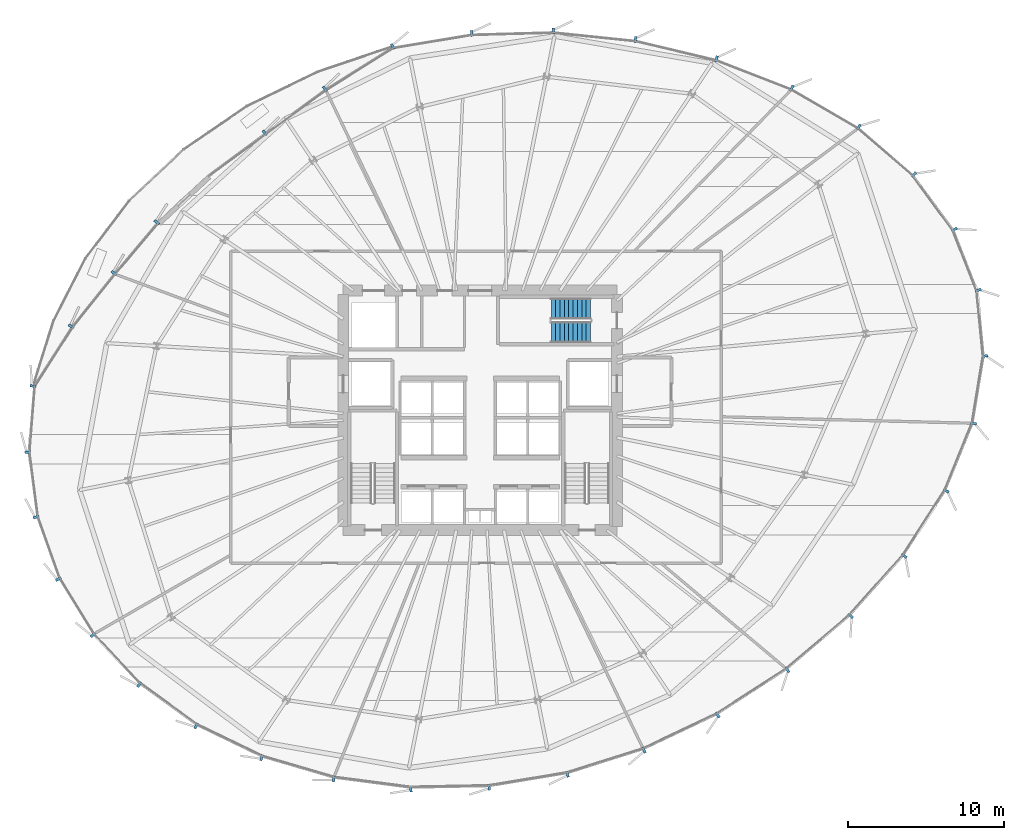
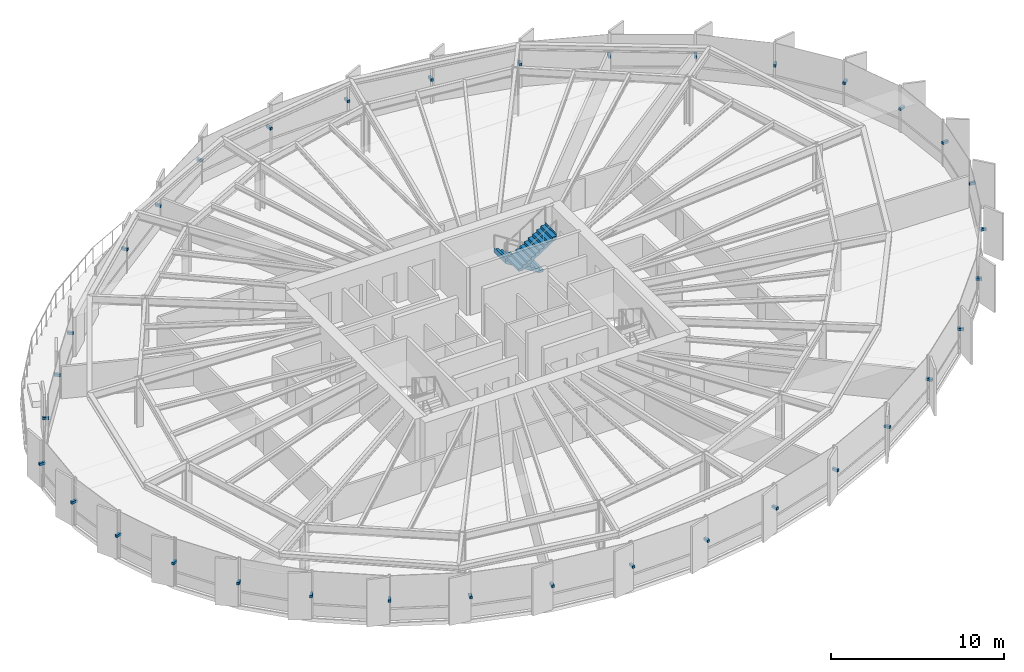
# One storey, part 31 of 35: 35 discrete accessories, 2 stair flights, 1 element without a shape of its own.
"""IFC4 building model written with IfcOpenShell, lengths in metres."""

from ifc_helpers import new_model, si_unit, direction, frame, origin, origin_2d, place, context, subcontext, project, spatial, polyline, rectangle, outline, extrude, source, transform, mapped, material, type_object, element, aggregate, save


model = new_model("IFC4")

# Units and contexts
model_context = context("Model", 3, precision=1e-05, world=origin(), true_north=direction((0.0, 1.0)))
body_context = subcontext(model_context, "Body", "Model", "MODEL_VIEW")
ifc_project = project(units=[si_unit("LENGTHUNIT", "METRE"), si_unit("AREAUNIT", "SQUARE_METRE"), si_unit("VOLUMEUNIT", "CUBIC_METRE"), si_unit("PLANEANGLEUNIT", "RADIAN"), si_unit("MASSUNIT", "GRAM", prefix="KILO"), si_unit("THERMODYNAMICTEMPERATUREUNIT", "KELVIN")], contexts=[model_context])

# Site, building, storey
site_placement = place(None, origin())
site = spatial("IfcSite", under=ifc_project, at=site_placement, CompositionType="ELEMENT")
building_placement = place(site_placement, origin())
building = spatial("IfcBuilding", under=site, at=building_placement, Name="Kethvar Cultural Tower", CompositionType="ELEMENT")
storey_placement = place(building_placement, frame((0.0, 0.0, 89.199951171875)))
storey = spatial("IfcBuildingStorey", under=building, at=storey_placement, Name="L21", CompositionType="ELEMENT", Elevation=89.199951171875)

# Stair, stair flights
ifc_material_1 = material(Name="Concrete C40/50", Category="concrete")
stair_type = type_object("IfcStairType", Name="ST-DOGLEG-135", PredefinedType="HALF_TURN_STAIR", material=ifc_material_1)
stair_placement = place(storey_placement, origin())
stair = element("IfcStair", 1, at=stair_placement, inside=storey, type_object=stair_type, Name="L21 Core Exit Stair 3", PredefinedType="HALF_TURN_STAIR")
stair_flight_type = type_object("IfcStairFlightType", Name="FL-STRAIGHT-135", PredefinedType="STRAIGHT", material=ifc_material_1)
stair_flight_1_placement = place(storey_placement, frame((53.89990234375, 34.3349609375, 0.0), z_axis=(0.0, 0.0, 1.0), x_axis=(-1.0, 0.0, 0.0)))
stair_flight_1 = element("IfcStairFlight", 2, at=stair_flight_1_placement, type_object=stair_flight_type, Name="ST-03 flight 1", NumberOfRisers=10, NumberOfTreads=9, PredefinedType="STRAIGHT", RiserHeight=0.18, TreadLength=0.28, context=body_context, shape_type="SweptSolid", body=[
    extrude(outline(polyline([(-0.0009765625, -0.0009765625), (-0.0009765625, 0.179931640625), (0.280029296875, 0.179931640625), (0.280029296875, 0.360107421875), (0.56005859375, 0.360107421875), (0.56005859375, 0.5400390625), (0.840087890625, 0.5400390625), (0.840087890625, 0.719970703125), (1.1201171875, 0.719970703125), (1.1201171875, 0.89990234375), (1.39990234375, 0.89990234375), (1.39990234375, 1.080078125), (1.679931640625, 1.080078125), (1.679931640625, 1.260009765625), (1.9599609375, 1.260009765625), (1.9599609375, 1.43994140625), (2.239990234375, 1.43994140625), (2.239990234375, 1.6201171875), (2.52001953125, 1.6201171875), (2.52001953125, 1.800048828125), (2.52099609375, 1.800048828125), (2.52099609375, 1.44189453125), (0.277099609375, 0.0), (0.0, -0.0009765625), (-0.0009765625, -0.0009765625)])), frame((0.0, 0.675048828125, 0.0), z_axis=(0.0, -1.0, 0.0), x_axis=(1.0, 0.0, 0.0)), (0.0, 0.0, 1.0), 1.35009765625),
])
stair_flight_2_placement = place(storey_placement, frame((51.3798828125, 32.824951171875, 1.800048828125), z_axis=(0.0, 0.0, 1.0), x_axis=(1.0, 0.0, 0.0)))
stair_flight_2 = element("IfcStairFlight", 3, at=stair_flight_2_placement, type_object=stair_flight_type, Name="ST-03 flight 2", NumberOfRisers=10, NumberOfTreads=9, PredefinedType="STRAIGHT", RiserHeight=0.18, TreadLength=0.28, context=body_context, shape_type="SweptSolid", body=[
    extrude(outline(polyline([(-0.0009765625, -0.0009765625), (-0.0009765625, 0.179931640625), (0.280029296875, 0.179931640625), (0.280029296875, 0.360107421875), (0.56005859375, 0.360107421875), (0.56005859375, 0.5400390625), (0.840087890625, 0.5400390625), (0.840087890625, 0.719970703125), (1.1201171875, 0.719970703125), (1.1201171875, 0.89990234375), (1.39990234375, 0.89990234375), (1.39990234375, 1.080078125), (1.679931640625, 1.080078125), (1.679931640625, 1.260009765625), (1.9599609375, 1.260009765625), (1.9599609375, 1.43994140625), (2.239990234375, 1.43994140625), (2.239990234375, 1.6201171875), (2.52001953125, 1.6201171875), (2.52001953125, 1.800048828125), (2.52099609375, 1.800048828125), (2.52099609375, 1.44189453125), (0.277099609375, 0.0), (0.0, -0.0009765625), (-0.0009765625, -0.0009765625)])), frame((0.0, 0.675048828125, 0.0), z_axis=(0.0, -1.0, 0.0), x_axis=(1.0, 0.0, 0.0)), (0.0, 0.0, 1.0), 1.35009765625),
])
aggregate(stair, [stair_flight_1, stair_flight_2])

# Discrete accessories
ifc_material_2 = material(Name="Steel S355J2", Category="steel")
discrete_accessory_type = type_object("IfcDiscreteAccessoryType", Name="Steel Fin Bracket BRK-01", PredefinedType="BRACKET", material=ifc_material_2)
shared_shape = source(origin(), body_context, "Body", "SweptSolid", [
    extrude(rectangle(XDim=0.3798828125, YDim=0.159912109375, at=origin_2d()), origin(), (0.0, 0.0, 1.0), 0.179931640625),
])
for number, where, z_axis, x_axis, name in (
    (4, (78.835205078125, 35.531982421875, 1.5849609375), (0.0, 0.0, 1.0), (0.930928393117, 0.365201761892, 0.0), "L21 Terracotta Fin Bracket 1.1"),
    (5, (77.307861328125, 39.425048828125, 1.5849609375), (0.0, 0.0, 1.0), (0.80541134648, 0.592716258391, 0.0), "L21 Terracotta Fin Bracket 1.2"),
    (6, (74.7001953125, 42.96728515625, 1.5849609375), (0.0, 0.0, 1.0), (0.65342060399, 0.756995055652, 0.0), "L21 Terracotta Fin Bracket 1.3"),
    (7, (71.15576171875, 46.027099609375, 1.5849609375), (0.0, 0.0, 1.0), (0.502718227172, 0.864450336381, 0.0), "L21 Terracotta Fin Bracket 1.4"),
    (8, (66.853515625, 48.5283203125, 1.5849609375), (0.0, 0.0, 1.0), (0.362600698822, 0.931944597717, 0.0), "L21 Terracotta Fin Bracket 1.5"),
    (9, (62.00390625, 50.414794921875, 1.5849609375), (0.0, 0.0, 1.0), (0.231238527491, 0.972897087776, 0.0), "L21 Terracotta Fin Bracket 1.6"),
    (10, (56.786376953125, 51.64990234375, 1.5849609375), (0.0, 0.0, 1.0), (0.103139747302, 0.994666875153, 0.0), "L21 Terracotta Fin Bracket 2.1"),
    (11, (51.522216796875, 52.196044921875, 1.5849609375), (0.0, 0.0, 1.0), (-0.027572707275, 0.999619800631, 0.0), "L21 Terracotta Fin Bracket 2.2"),
    (12, (46.2666015625, 52.05078125, 1.5849609375), (0.0, 0.0, 1.0), (-0.163842507806, 0.9864865091, 0.0), "L21 Terracotta Fin Bracket 2.3"),
    (13, (41.177734375, 51.20458984375, 1.5849609375), (0.0, 0.0, 1.0), (-0.531250720758, 0.847214655028, 0.0), "L21 Terracotta Fin Bracket 2.4"),
    (14, (36.822021484375, 48.4736328125, 1.5849609375), (0.0, 0.0, 1.0), (-0.589478363128, 0.807784166349, 0.0), "L21 Terracotta Fin Bracket 2.5"),
    (15, (32.947998046875, 45.646728515625, 1.5849609375), (0.0, 0.0, 1.0), (-0.593699811383, 0.804686606055, 0.0), "L21 Terracotta Fin Bracket 2.6"),
    (16, (26.0087890625, 39.89697265625, 1.5849609375), (0.0, 0.0, 1.0), (-0.764359005823, 0.644790904261, 0.0), "L21 Terracotta Fin Bracket 3.1"),
    (17, (23.25390625, 36.631591796875, 1.5849609375), (0.0, 0.0, 1.0), (-0.780430407338, 0.625242656336, 0.0), "L21 Terracotta Fin Bracket 3.2"),
    (18, (20.506591796875, 33.202392578125, 1.5849609375), (0.0, 0.0, 1.0), (-0.842170181815, 0.539211818177, 0.0), "L21 Terracotta Fin Bracket 3.3"),
    (19, (18.050537109375, 29.3642578125, 1.5849609375), (0.0, 0.0, 1.0), (-0.996778878456, 0.080198924329, 0.0), "L21 Terracotta Fin Bracket 3.4"),
    (20, (17.708740234375, 25.11376953125, 1.5849609375), (0.0, 0.0, 1.0), (-0.991648668207, -0.128968673884, 0.0), "L21 Terracotta Fin Bracket 3.5"),
    (21, (18.2509765625, 20.945068359375, 1.5849609375), (0.0, 0.0, 1.0), (-0.942115985782, -0.335287144599, 0.0), "L21 Terracotta Fin Bracket 3.6"),
    (22, (19.681396484375, 16.951171875, 1.5849609375), (0.0, 0.0, 1.0), (-0.851726934143, -0.52398590597, 0.0), "L21 Terracotta Fin Bracket 4.1"),
    (23, (21.8955078125, 13.352783203125, 1.5849609375), (0.0, 0.0, 1.0), (-0.729804415237, -0.683655992076, 0.0), "L21 Terracotta Fin Bracket 4.2"),
    (24, (24.88671875, 10.16015625, 1.5849609375), (0.0, 0.0, 1.0), (-0.587785252292, -0.809016994375, 0.0), "L21 Terracotta Fin Bracket 4.3"),
    (25, (28.54345703125, 7.503662109375, 1.5849609375), (0.0, 0.0, 1.0), (-0.435859534333, -0.900014703397, 0.0), "L21 Terracotta Fin Bracket 4.4"),
    (26, (32.755126953125, 5.4638671875, 1.5849609375), (0.0, 0.0, 1.0), (-0.281671660596, -0.959510852267, 0.0), "L21 Terracotta Fin Bracket 4.5"),
    (27, (37.393310546875, 4.1025390625, 1.5849609375), (0.0, 0.0, 1.0), (-0.129141747261, -0.991626143823, 0.0), "L21 Terracotta Fin Bracket 4.6"),
    (28, (42.356201171875, 3.462158203125, 1.5849609375), (0.0, 0.0, 1.0), (0.019371942867, -0.999812346308, 0.0), "L21 Terracotta Fin Bracket 5.1"),
    (29, (47.377197265625, 3.559814453125, 1.5849609375), (0.0, 0.0, 1.0), (0.163325962242, -0.986572161607, 0.0), "L21 Terracotta Fin Bracket 5.2"),
    (30, (52.419921875, 4.394287109375, 1.5849609375), (0.0, 0.0, 1.0), (0.301870759858, -0.953348857629, 0.0), "L21 Terracotta Fin Bracket 5.3"),
    (31, (57.335693359375, 5.95068359375, 1.5849609375), (0.0, 0.0, 1.0), (0.429250430767, -0.903185511225, 0.0), "L21 Terracotta Fin Bracket 5.4"),
    (32, (62.083984375, 8.20751953125, 1.5849609375), (0.0, 0.0, 1.0), (0.543467499475, -0.839430209734, 0.0), "L21 Terracotta Fin Bracket 5.5"),
    (33, (66.559326171875, 11.105224609375, 1.5849609375), (0.0, 0.0, 1.0), (0.647721071713, -0.761877557918, 0.0), "L21 Terracotta Fin Bracket 5.6"),
    (34, (70.640625, 14.582763671875, 1.5849609375), (0.0, 0.0, 1.0), (0.746173581973, -0.665751444284, 0.0), "L21 Terracotta Fin Bracket 6.1"),
    (35, (74.079345703125, 18.436279296875, 1.5849609375), (0.0, 0.0, 1.0), (0.840377460452, -0.54200159037, 0.0), "L21 Terracotta Fin Bracket 6.2"),
    (36, (76.77685546875, 22.618408203125, 1.5849609375), (0.0, 0.0, 1.0), (0.92587058481, -0.377840786818, 0.0), "L21 Terracotta Fin Bracket 6.3"),
    (37, (78.545654296875, 26.954345703125, 1.5849609375), (0.0, 0.0, 1.0), (0.98671431472, -0.162464953535, 0.0), "L21 Terracotta Fin Bracket 6.4"),
    (38, (79.26025390625, 31.294921875, 1.5849609375), (0.0, 0.0, 1.0), (0.995261402206, 0.097235493922, 0.0), "L21 Terracotta Fin Bracket 6.5"),
):
    element("IfcDiscreteAccessory", number, at=place(storey_placement, frame(where, z_axis=z_axis, x_axis=x_axis)), inside=storey, type_object=discrete_accessory_type, Name=name, PredefinedType="BRACKET", context=body_context, shape_type="MappedRepresentation", body=[
        mapped(shared_shape, transform((0.0, 0.0, 0.0), scale=1.0)),
    ])

save(model, "model.ifc")
